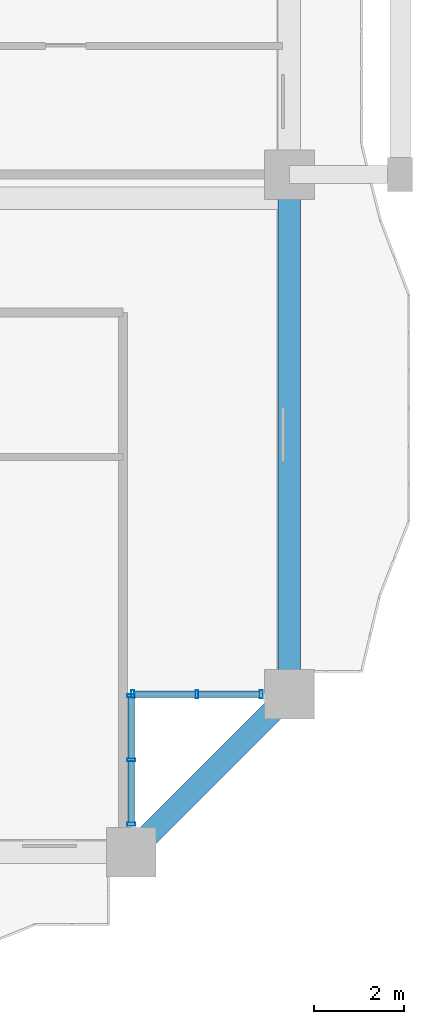
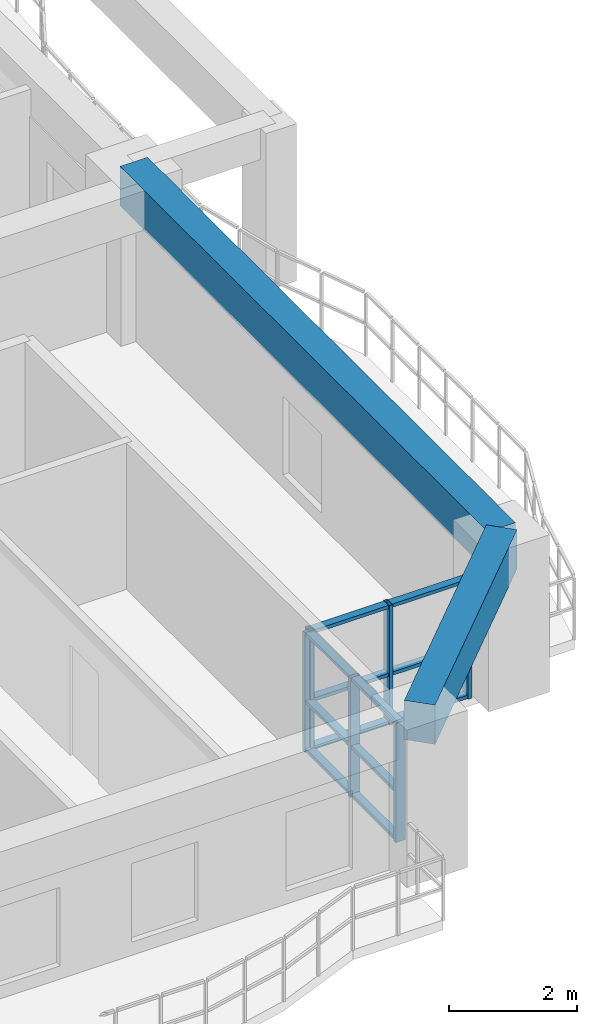
# One storey, part 4 of 28: 18 members, 2 beams, 2 elements without a shape of their own.
"""IFC4 building model written with IfcOpenShell, lengths in metres."""

from ifc_helpers import new_model, si_unit, direction, frame, origin, origin_2d, place, context, subcontext, project, spatial, rectangle, hollow_rectangle, extrude, source, transform, mapped, material, layer, layer_set, material_profile, profile_set, type_object, element, aggregate, save


model = new_model("IFC4")

# Units and contexts
model_context = context("Model", 3, precision=1e-05, world=origin(), true_north=direction((0.0, 1.0)))
body_context = subcontext(model_context, "Body", "Model", "MODEL_VIEW")
ifc_project = project(units=[si_unit("LENGTHUNIT", "METRE"), si_unit("AREAUNIT", "SQUARE_METRE"), si_unit("VOLUMEUNIT", "CUBIC_METRE"), si_unit("PLANEANGLEUNIT", "RADIAN"), si_unit("MASSUNIT", "GRAM", prefix="KILO")], contexts=[model_context])

# Site, building, storey
site_placement = place(None, origin())
site = spatial("IfcSite", under=ifc_project, at=site_placement, CompositionType="ELEMENT")
building_placement = place(site_placement, origin())
building = spatial("IfcBuilding", under=site, at=building_placement, Name="Saelheon Loggia Tower", CompositionType="ELEMENT")
storey_placement = place(building_placement, frame((0.0, 0.0, 61.39990234375)))
storey = spatial("IfcBuildingStorey", under=building, at=storey_placement, Name="L19", CompositionType="ELEMENT", Elevation=61.39990234375)

# Beams
ifc_material_1 = material(Name="Concrete C45/55", Category="concrete")
ifc_material_profile_1 = material_profile(ifc_material_1, rectangle(XDim=0.5, YDim=0.75, at=origin_2d()), Name="RC-500x750")
ifc_profile_set_1 = profile_set([ifc_material_profile_1], Name="Concrete C45/55")
beam_type = type_object("IfcBeamType", Name="Beam_PerimGirder_RC500x750", PredefinedType="BEAM", material=ifc_profile_set_1)
shared_shape_1 = source(origin(), body_context, "Body", "SweptSolid", [
    extrude(rectangle(XDim=0.5, YDim=0.75, at=origin_2d()), origin(), (0.0, 0.0, 1.0), 4.94970703125),
])
beam_1_placement = place(storey_placement, frame((60.5, 3.0, 2.625), z_axis=(0.707106781187, 0.707106781187, 0.0), x_axis=(-0.707106781187, 0.707106781187, 0.0)))
element("IfcBeam", 1, at=beam_1_placement, inside=storey, type_object=beam_type, Name="L19 Perimeter Frame Girder 04", PredefinedType="BEAM", context=body_context, shape_type="MappedRepresentation", body=[
    mapped(shared_shape_1, transform((0.0, 0.0, 0.0), scale=1.0)),
])
shared_shape_2 = source(origin(), body_context, "Body", "SweptSolid", [
    extrude(rectangle(XDim=0.5, YDim=0.75, at=origin_2d()), origin(), (0.0, 0.0, 1.0), 11.5),
])
beam_2_placement = place(storey_placement, frame((64.0, 6.5, 2.625), z_axis=(0.0, 1.0, 0.0), x_axis=(-1.0, 0.0, 0.0)))
element("IfcBeam", 2, at=beam_2_placement, inside=storey, type_object=beam_type, Name="L19 Perimeter Frame Girder 05", PredefinedType="BEAM", context=body_context, shape_type="MappedRepresentation", body=[
    mapped(shared_shape_2, transform((0.0, 0.0, 0.0), scale=1.0)),
])

# Curtain wall, members
ifc_material_2 = material(Name="Thermal-Break Aluminium and Triple Low-E Glass", Category="aluminium")
ifc_layer = layer(ifc_material_2, 0.159912109375)
ifc_layer_set = layer_set([ifc_layer], Name="Thermal-Break Aluminium and Triple Low-E Glass")
curtain_wall_type = type_object("IfcCurtainWallType", Name="CW_TowerLoggiaLow", PredefinedType="NOTDEFINED", material=ifc_layer_set)
curtain_wall_1_placement = place(storey_placement, origin())
curtain_wall_1 = element("IfcCurtainWall", 3, at=curtain_wall_1_placement, inside=storey, type_object=curtain_wall_type, Name="L19 Corner Notch Glazing SE1", PredefinedType="NOTDEFINED")
ifc_material_3 = material(Name="Anodised Aluminium 6063-T6", Category="aluminium")
ifc_material_profile_2 = material_profile(ifc_material_3, hollow_rectangle(XDim=0.06494140625, YDim=0.179931640625, WallThickness=0.00390625, at=origin_2d()), Name="RHS-180x65x4")
ifc_profile_set_2 = profile_set([ifc_material_profile_2], Name="Anodised Aluminium 6063-T6")
member_type_1 = type_object("IfcMemberType", Name="CW_TowerLoggiaLow_Mullion", PredefinedType="MULLION", material=ifc_profile_set_2)
shared_shape_3 = source(origin(), body_context, "Body", "SweptSolid", [
    extrude(hollow_rectangle(XDim=0.06494140625, YDim=0.179931640625, WallThickness=0.00390625, at=origin_2d()), origin(), (0.0, 0.0, 1.0), 2.280029296875),
])
member_1_placement = place(storey_placement, frame((60.5, 3.62255859375, 0.0), z_axis=(0.0, 0.0, 1.0), x_axis=(0.0, 1.0, 0.0)))
member_1 = element("IfcMember", 4, at=member_1_placement, type_object=member_type_1, Name="CW3 mullion 1", PredefinedType="MULLION", context=body_context, shape_type="MappedRepresentation", body=[
    mapped(shared_shape_3, transform((0.0, 0.0, 0.0), scale=1.0)),
])
member_2_placement = place(storey_placement, frame((60.5, 5.044921875, 0.0), z_axis=(0.0, 0.0, 1.0), x_axis=(0.0, 1.0, 0.0)))
member_2 = element("IfcMember", 5, at=member_2_placement, type_object=member_type_1, Name="CW3 mullion 2", PredefinedType="MULLION", context=body_context, shape_type="MappedRepresentation", body=[
    mapped(shared_shape_3, transform((0.0, 0.0, 0.0), scale=1.0)),
])
member_3_placement = place(storey_placement, frame((60.5, 6.467529296875, 0.0), z_axis=(0.0, 0.0, 1.0), x_axis=(0.0, 1.0, 0.0)))
member_3 = element("IfcMember", 6, at=member_3_placement, type_object=member_type_1, Name="CW3 mullion 3", PredefinedType="MULLION", context=body_context, shape_type="MappedRepresentation", body=[
    mapped(shared_shape_3, transform((0.0, 0.0, 0.0), scale=1.0)),
])

curtain_wall_2_placement = place(storey_placement, origin())
curtain_wall_2 = element("IfcCurtainWall", 7, at=curtain_wall_2_placement, inside=storey, type_object=curtain_wall_type, Name="L19 Corner Notch Glazing SE2", PredefinedType="NOTDEFINED")
member_4_placement = place(storey_placement, frame((60.532470703125, 6.5, 0.0), z_axis=(0.0, 0.0, 1.0), x_axis=(1.0, 0.0, 0.0)))
member_4 = element("IfcMember", 8, at=member_4_placement, type_object=member_type_1, Name="CW3 mullion 1", PredefinedType="MULLION", context=body_context, shape_type="MappedRepresentation", body=[
    mapped(shared_shape_3, transform((0.0, 0.0, 0.0), scale=1.0)),
])
member_5_placement = place(storey_placement, frame((61.955078125, 6.5, 0.0), z_axis=(0.0, 0.0, 1.0), x_axis=(1.0, 0.0, 0.0)))
member_5 = element("IfcMember", 9, at=member_5_placement, type_object=member_type_1, Name="CW3 mullion 2", PredefinedType="MULLION", context=body_context, shape_type="MappedRepresentation", body=[
    mapped(shared_shape_3, transform((0.0, 0.0, 0.0), scale=1.0)),
])
member_6_placement = place(storey_placement, frame((63.37744140625, 6.5, 0.0), z_axis=(0.0, 0.0, 1.0), x_axis=(1.0, 0.0, 0.0)))
member_6 = element("IfcMember", 10, at=member_6_placement, type_object=member_type_1, Name="CW3 mullion 3", PredefinedType="MULLION", context=body_context, shape_type="MappedRepresentation", body=[
    mapped(shared_shape_3, transform((0.0, 0.0, 0.0), scale=1.0)),
])

# Member
ifc_material_profile_3 = material_profile(ifc_material_3, hollow_rectangle(XDim=0.06494140625, YDim=0.139892578125, WallThickness=0.00390625, at=origin_2d()), Name="RHS-140x65x4")
ifc_profile_set_3 = profile_set([ifc_material_profile_3], Name="Anodised Aluminium 6063-T6")
member_type_2 = type_object("IfcMemberType", Name="CW_TowerLoggiaLow_Transom", PredefinedType="USERDEFINED", material=ifc_profile_set_3)
shared_shape_4 = source(origin(), body_context, "Body", "SweptSolid", [
    extrude(hollow_rectangle(XDim=0.06494140625, YDim=0.139892578125, WallThickness=0.00390625, at=origin_2d()), origin(), (0.0, 0.0, 1.0), 1.357421875),
])
member_7_placement = place(storey_placement, frame((60.5, 3.655029296875, 0.03271484375), z_axis=(0.0, 1.0, 0.0), x_axis=(0.0, 0.0, 1.0)))
member_7 = element("IfcMember", 11, at=member_7_placement, type_object=member_type_2, Name="CW3 transom 1.1", ObjectType="TRANSOM", PredefinedType="USERDEFINED", context=body_context, shape_type="MappedRepresentation", body=[
    mapped(shared_shape_4, transform((0.0, 0.0, 0.0), scale=1.0)),
])

member_8_placement = place(storey_placement, frame((60.5, 3.655029296875, 0.9501953125), z_axis=(0.0, 1.0, 0.0), x_axis=(0.0, 0.0, 1.0)))
member_8 = element("IfcMember", 12, at=member_8_placement, type_object=member_type_2, Name="CW3 transom 1.2", ObjectType="TRANSOM", PredefinedType="USERDEFINED", context=body_context, shape_type="MappedRepresentation", body=[
    mapped(shared_shape_4, transform((0.0, 0.0, 0.0), scale=1.0)),
])

member_9_placement = place(storey_placement, frame((60.5, 3.655029296875, 2.24755859375), z_axis=(0.0, 1.0, 0.0), x_axis=(0.0, 0.0, 1.0)))
member_9 = element("IfcMember", 13, at=member_9_placement, type_object=member_type_2, Name="CW3 transom 1.3", ObjectType="TRANSOM", PredefinedType="USERDEFINED", context=body_context, shape_type="MappedRepresentation", body=[
    mapped(shared_shape_4, transform((0.0, 0.0, 0.0), scale=1.0)),
])

member_10_placement = place(storey_placement, frame((61.987548828125, 6.5, 0.03271484375), z_axis=(1.0, 0.0, 0.0), x_axis=(0.0, 0.0, 1.0)))
member_10 = element("IfcMember", 14, at=member_10_placement, type_object=member_type_2, Name="CW3 transom 2.1", ObjectType="TRANSOM", PredefinedType="USERDEFINED", context=body_context, shape_type="MappedRepresentation", body=[
    mapped(shared_shape_4, transform((0.0, 0.0, 0.0), scale=1.0)),
])

member_11_placement = place(storey_placement, frame((61.987548828125, 6.5, 0.9501953125), z_axis=(1.0, 0.0, 0.0), x_axis=(0.0, 0.0, 1.0)))
member_11 = element("IfcMember", 15, at=member_11_placement, type_object=member_type_2, Name="CW3 transom 2.2", ObjectType="TRANSOM", PredefinedType="USERDEFINED", context=body_context, shape_type="MappedRepresentation", body=[
    mapped(shared_shape_4, transform((0.0, 0.0, 0.0), scale=1.0)),
])

member_12_placement = place(storey_placement, frame((61.987548828125, 6.5, 2.24755859375), z_axis=(1.0, 0.0, 0.0), x_axis=(0.0, 0.0, 1.0)))
member_12 = element("IfcMember", 16, at=member_12_placement, type_object=member_type_2, Name="CW3 transom 2.3", ObjectType="TRANSOM", PredefinedType="USERDEFINED", context=body_context, shape_type="MappedRepresentation", body=[
    mapped(shared_shape_4, transform((0.0, 0.0, 0.0), scale=1.0)),
])

shared_shape_5 = source(origin(), body_context, "Body", "SweptSolid", [
    extrude(hollow_rectangle(XDim=0.06494140625, YDim=0.139892578125, WallThickness=0.00390625, at=origin_2d()), origin(), (0.0, 0.0, 1.0), 1.357666015625),
])
member_13_placement = place(storey_placement, frame((60.5, 5.077392578125, 0.03271484375), z_axis=(0.0, 1.0, 0.0), x_axis=(0.0, 0.0, 1.0)))
member_13 = element("IfcMember", 17, at=member_13_placement, type_object=member_type_2, Name="CW3 transom 2.1", ObjectType="TRANSOM", PredefinedType="USERDEFINED", context=body_context, shape_type="MappedRepresentation", body=[
    mapped(shared_shape_5, transform((0.0, 0.0, 0.0), scale=1.0)),
])

member_14_placement = place(storey_placement, frame((60.5, 5.077392578125, 0.9501953125), z_axis=(0.0, 1.0, 0.0), x_axis=(0.0, 0.0, 1.0)))
member_14 = element("IfcMember", 18, at=member_14_placement, type_object=member_type_2, Name="CW3 transom 2.2", ObjectType="TRANSOM", PredefinedType="USERDEFINED", context=body_context, shape_type="MappedRepresentation", body=[
    mapped(shared_shape_5, transform((0.0, 0.0, 0.0), scale=1.0)),
])

member_15_placement = place(storey_placement, frame((60.5, 5.077392578125, 2.24755859375), z_axis=(0.0, 1.0, 0.0), x_axis=(0.0, 0.0, 1.0)))
member_15 = element("IfcMember", 19, at=member_15_placement, type_object=member_type_2, Name="CW3 transom 2.3", ObjectType="TRANSOM", PredefinedType="USERDEFINED", context=body_context, shape_type="MappedRepresentation", body=[
    mapped(shared_shape_5, transform((0.0, 0.0, 0.0), scale=1.0)),
])

aggregate(curtain_wall_1, [member_1, member_2, member_3, member_7, member_8, member_9, member_13, member_14, member_15])

member_16_placement = place(storey_placement, frame((60.56494140625, 6.5, 0.03271484375), z_axis=(1.0, 0.0, 0.0), x_axis=(0.0, 0.0, 1.0)))
member_16 = element("IfcMember", 20, at=member_16_placement, type_object=member_type_2, Name="CW3 transom 1.1", ObjectType="TRANSOM", PredefinedType="USERDEFINED", context=body_context, shape_type="MappedRepresentation", body=[
    mapped(shared_shape_5, transform((0.0, 0.0, 0.0), scale=1.0)),
])

member_17_placement = place(storey_placement, frame((60.56494140625, 6.5, 0.9501953125), z_axis=(1.0, 0.0, 0.0), x_axis=(0.0, 0.0, 1.0)))
member_17 = element("IfcMember", 21, at=member_17_placement, type_object=member_type_2, Name="CW3 transom 1.2", ObjectType="TRANSOM", PredefinedType="USERDEFINED", context=body_context, shape_type="MappedRepresentation", body=[
    mapped(shared_shape_5, transform((0.0, 0.0, 0.0), scale=1.0)),
])

member_18_placement = place(storey_placement, frame((60.56494140625, 6.5, 2.24755859375), z_axis=(1.0, 0.0, 0.0), x_axis=(0.0, 0.0, 1.0)))
member_18 = element("IfcMember", 22, at=member_18_placement, type_object=member_type_2, Name="CW3 transom 1.3", ObjectType="TRANSOM", PredefinedType="USERDEFINED", context=body_context, shape_type="MappedRepresentation", body=[
    mapped(shared_shape_5, transform((0.0, 0.0, 0.0), scale=1.0)),
])

aggregate(curtain_wall_2, [member_4, member_5, member_6, member_16, member_17, member_18, member_10, member_11, member_12])

save(model, "model.ifc")
